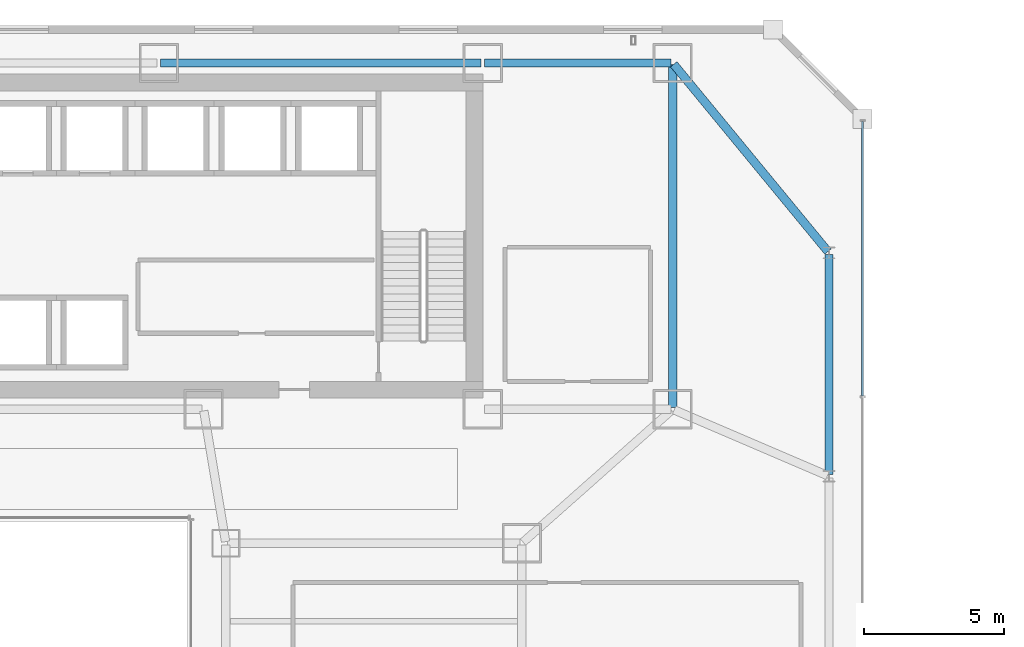
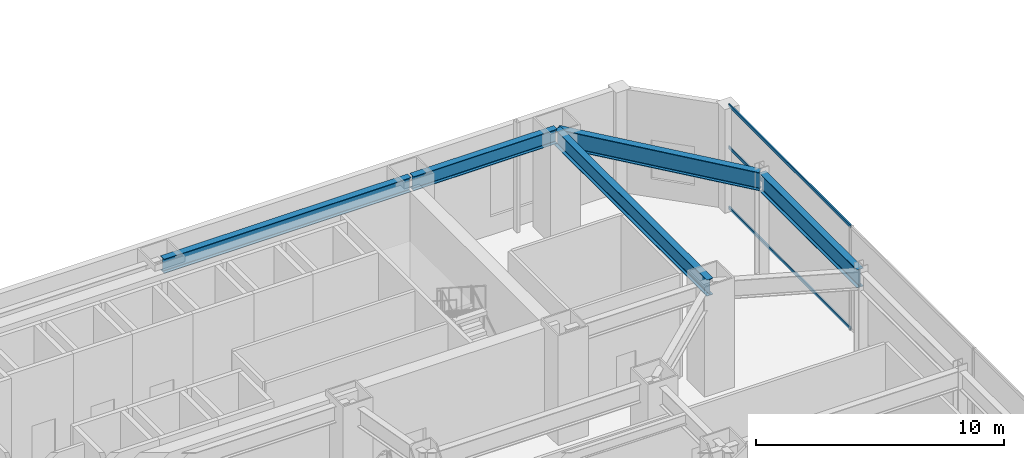
# One storey, part 30 of 51: 5 beams, 3 members, 1 element without a shape of its own.
"""IFC4 building model written with IfcOpenShell, lengths in metres."""

from ifc_helpers import new_model, si_unit, direction, frame, origin, origin_2d, place, context, subcontext, project, spatial, hollow_rectangle, i_section, extrude, material, material_profile, profile_set, type_object, element, aggregate, save


model = new_model("IFC4")

# Units and contexts
model_context = context("Model", 3, precision=1e-05, world=origin(), true_north=direction((0.0, 1.0)))
body_context = subcontext(model_context, "Body", "Model", "MODEL_VIEW")
ifc_project = project(units=[si_unit("LENGTHUNIT", "METRE"), si_unit("AREAUNIT", "SQUARE_METRE"), si_unit("VOLUMEUNIT", "CUBIC_METRE"), si_unit("PLANEANGLEUNIT", "RADIAN"), si_unit("MASSUNIT", "GRAM", prefix="KILO")], contexts=[model_context])

# Site, building, storey
site_placement = place(None, origin())
site = spatial("IfcSite", under=ifc_project, at=site_placement, CompositionType="ELEMENT")
building_placement = place(site_placement, origin())
building = spatial("IfcBuilding", under=site, at=building_placement, Name="Saevonmaru Cultural Tower", CompositionType="ELEMENT")
storey_placement = place(building_placement, frame((0.0, 0.0, 6.0)))
storey = spatial("IfcBuildingStorey", under=building, at=storey_placement, Name="L01", CompositionType="ELEMENT", Elevation=6.0)

# Beams
ifc_material_1 = material(Name="Steel SM420", Category="steel")
ifc_material_profile_1 = material_profile(ifc_material_1, i_section(OverallWidth=0.300048828125, OverallDepth=0.800048828125, WebThickness=0.013916015625, FlangeThickness=0.02587890625, FilletRadius=0.028076171875, at=origin_2d()), Name="H-800x300x14x26")
ifc_profile_set_1 = profile_set([ifc_material_profile_1], Name="Steel SM420")
beam_type_1 = type_object("IfcBeamType", Name="BM-G-H800", PredefinedType="BEAM", material=ifc_profile_set_1)
beam_1_placement = place(storey_placement, frame((53.199951171875, 54.739990234375, 4.699951171875), z_axis=(0.0, -1.0, 0.0), x_axis=(1.0, 0.0, 0.0)))
element("IfcBeam", 1, at=beam_1_placement, inside=storey, type_object=beam_type_1, Name="L01 Spine Transverse Girder E", PredefinedType="BEAM", context=body_context, shape_type="SweptSolid", body=[
    extrude(i_section(OverallWidth=0.300048828125, OverallDepth=0.800048828125, WebThickness=0.013916015625, FlangeThickness=0.02587890625, FilletRadius=0.028076171875, at=origin_2d()), origin(), (0.0, 0.0, 1.0), 12.280029296875),
])
ifc_material_profile_2 = material_profile(ifc_material_1, i_section(OverallWidth=0.300048828125, OverallDepth=0.89990234375, WebThickness=0.01611328125, FlangeThickness=0.028076171875, FilletRadius=0.028076171875, at=origin_2d()), Name="H-900x300x16x28")
ifc_profile_set_2 = profile_set([ifc_material_profile_2], Name="Steel SM420")
beam_type_2 = type_object("IfcBeamType", Name="BM-G-H900", PredefinedType="BEAM", material=ifc_profile_set_2)
beam_2_placement = place(storey_placement, frame((58.800048828125, 40.06005859375, 4.64990234375), z_axis=(0.0, 1.0, 0.0), x_axis=(-1.0, 0.0, 0.0)))
element("IfcBeam", 2, at=beam_2_placement, inside=storey, type_object=beam_type_2, Name="BM-POD-PE-5-L01", PredefinedType="BEAM", context=body_context, shape_type="SweptSolid", body=[
    extrude(i_section(OverallWidth=0.300048828125, OverallDepth=0.89990234375, WebThickness=0.01611328125, FlangeThickness=0.028076171875, FilletRadius=0.028076171875, at=origin_2d()), origin(), (0.0, 0.0, 1.0), 7.8798828125),
])
beam_3_placement = place(storey_placement, frame((53.238037109375, 54.753662109375, 4.64990234375), z_axis=(0.635726949651, -0.771914014309, 0.0), x_axis=(0.771914014309, 0.635726949651, 0.0)))
element("IfcBeam", 3, at=beam_3_placement, inside=storey, type_object=beam_type_2, Name="BM-POD-TE2-L01", PredefinedType="BEAM", context=body_context, shape_type="SweptSolid", body=[
    extrude(i_section(OverallWidth=0.300048828125, OverallDepth=0.89990234375, WebThickness=0.01611328125, FlangeThickness=0.028076171875, FilletRadius=0.028076171875, at=origin_2d()), origin(), (0.0, 0.0, 1.0), 8.689208984375),
])
ifc_material_2 = material(Name="Steel SM355", Category="steel")
ifc_material_profile_3 = material_profile(ifc_material_2, i_section(OverallWidth=0.300048828125, OverallDepth=0.699951171875, WebThickness=0.012939453125, FlangeThickness=0.02392578125, FilletRadius=0.02587890625, at=origin_2d()), Name="H-700x300x13x24")
ifc_profile_set_3 = profile_set([ifc_material_profile_3], Name="Steel SM355")
beam_type_3 = type_object("IfcBeamType", Name="BM-SP-H700", PredefinedType="SPANDREL", material=ifc_profile_set_3)
beam_4_placement = place(storey_placement, frame((34.860107421875, 54.800048828125, 4.75), z_axis=(1.0, 0.0, 0.0), x_axis=(0.0, 1.0, 0.0)))
element("IfcBeam", 4, at=beam_4_placement, inside=storey, type_object=beam_type_3, Name="L01 North Spine Girder 4", PredefinedType="SPANDREL", context=body_context, shape_type="SweptSolid", body=[
    extrude(i_section(OverallWidth=0.300048828125, OverallDepth=0.699951171875, WebThickness=0.012939453125, FlangeThickness=0.02392578125, FilletRadius=0.02587890625, at=origin_2d()), origin(), (0.0, 0.0, 1.0), 11.47998046875),
])
beam_5_placement = place(storey_placement, frame((46.4599609375, 54.800048828125, 4.75), z_axis=(1.0, 0.0, 0.0), x_axis=(0.0, 1.0, 0.0)))
element("IfcBeam", 5, at=beam_5_placement, inside=storey, type_object=beam_type_3, Name="L01 North Spine Girder 5", PredefinedType="SPANDREL", context=body_context, shape_type="SweptSolid", body=[
    extrude(i_section(OverallWidth=0.300048828125, OverallDepth=0.699951171875, WebThickness=0.012939453125, FlangeThickness=0.02392578125, FilletRadius=0.02587890625, at=origin_2d()), origin(), (0.0, 0.0, 1.0), 6.679931640625),
])

# Curtain wall, members
ifc_material_3 = material(Name="Satin Bronze Anodised Aluminium", Category="aluminium")
curtain_wall_type = type_object("IfcCurtainWallType", Name="CW-POD-GLZ", PredefinedType="NOTDEFINED", material=ifc_material_3)
curtain_wall_placement = place(storey_placement, origin())
curtain_wall = element("IfcCurtainWall", 6, at=curtain_wall_placement, inside=storey, type_object=curtain_wall_type, Name="L01 Saevon Plaza Curtain Wall", PredefinedType="NOTDEFINED")
ifc_material_profile_4 = material_profile(ifc_material_3, hollow_rectangle(XDim=0.06494140625, YDim=0.14990234375, WallThickness=0.00390625, at=origin_2d()), Name="ALU-TRAN-150x65x4")
ifc_profile_set_4 = profile_set([ifc_material_profile_4], Name="Satin Bronze Anodised Aluminium")
member_type = type_object("IfcMemberType", Name="TR-CW-150x65", PredefinedType="USERDEFINED", material=ifc_profile_set_4)
member_1_placement = place(storey_placement, frame((60.0, 42.87646484375, 0.032470703125), z_axis=(0.0, 1.0, 0.0), x_axis=(-1.0, 0.0, 0.0)))
member_1 = element("IfcMember", 7, at=member_1_placement, type_object=member_type, Name="CW-POD-E-L01 transom 5.1", ObjectType="TRANSOM", PredefinedType="USERDEFINED", context=body_context, shape_type="SweptSolid", body=[
    extrude(hollow_rectangle(XDim=0.06494140625, YDim=0.14990234375, WallThickness=0.00390625, at=origin_2d()), origin(), (0.0, 0.0, 1.0), 9.8310546875),
])
member_2_placement = place(storey_placement, frame((60.0, 42.87646484375, 3.0), z_axis=(0.0, 1.0, 0.0), x_axis=(-1.0, 0.0, 0.0)))
member_2 = element("IfcMember", 8, at=member_2_placement, type_object=member_type, Name="CW-POD-E-L01 transom 5.2", ObjectType="TRANSOM", PredefinedType="USERDEFINED", context=body_context, shape_type="SweptSolid", body=[
    extrude(hollow_rectangle(XDim=0.06494140625, YDim=0.14990234375, WallThickness=0.00390625, at=origin_2d()), origin(), (0.0, 0.0, 1.0), 9.8310546875),
])
member_3_placement = place(storey_placement, frame((60.0, 42.87646484375, 5.0673828125), z_axis=(0.0, 1.0, 0.0), x_axis=(-1.0, 0.0, 0.0)))
member_3 = element("IfcMember", 9, at=member_3_placement, type_object=member_type, Name="CW-POD-E-L01 transom 5.3", ObjectType="TRANSOM", PredefinedType="USERDEFINED", context=body_context, shape_type="SweptSolid", body=[
    extrude(hollow_rectangle(XDim=0.06494140625, YDim=0.14990234375, WallThickness=0.00390625, at=origin_2d()), origin(), (0.0, 0.0, 1.0), 9.8310546875),
])
aggregate(curtain_wall, [member_1, member_2, member_3])

save(model, "model.ifc")
